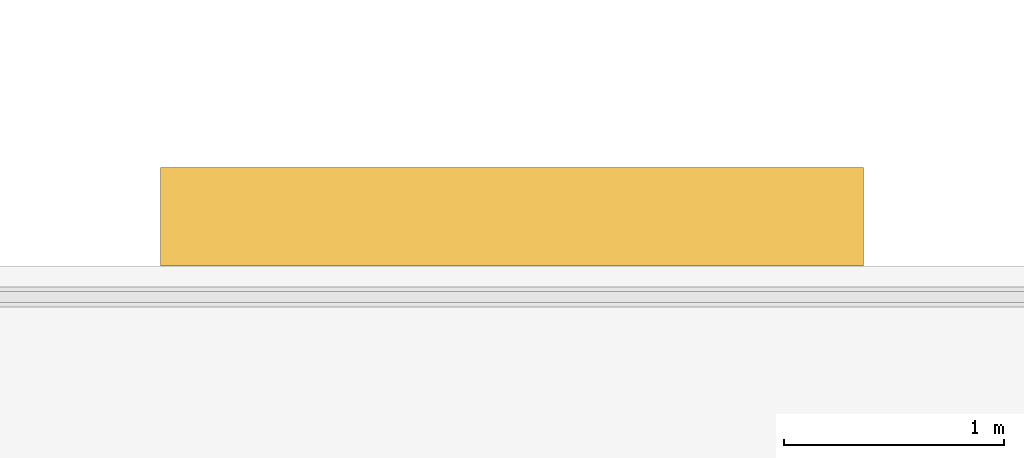
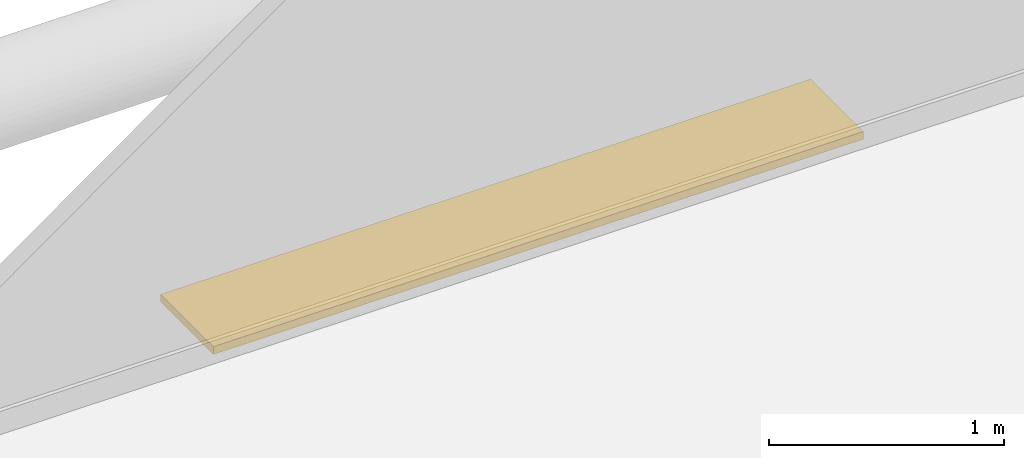
# One storey, part 30 of 30: 1 shading device.
"""IFC4 building model written with IfcOpenShell, lengths in metres."""

from ifc_helpers import new_model, si_unit, direction, frame, origin, origin_2d, place, context, subcontext, project, spatial, rectangle, extrude, material, layer, layer_set, type_object, element, save


model = new_model("IFC4")

# Units and contexts
model_context = context("Model", 3, precision=1e-05, world=origin(), true_north=direction((0.0, 1.0)))
body_context = subcontext(model_context, "Body", "Model", "MODEL_VIEW")
ifc_project = project(units=[si_unit("LENGTHUNIT", "METRE"), si_unit("AREAUNIT", "SQUARE_METRE"), si_unit("VOLUMEUNIT", "CUBIC_METRE"), si_unit("PLANEANGLEUNIT", "RADIAN"), si_unit("MASSUNIT", "GRAM", prefix="KILO")], contexts=[model_context])

# Site, building, storey
site_placement = place(None, origin())
site = spatial("IfcSite", under=ifc_project, at=site_placement, CompositionType="ELEMENT")
building_placement = place(site_placement, origin())
building = spatial("IfcBuilding", under=site, at=building_placement, Name="Zuhravey Tower", CompositionType="ELEMENT")
storey_placement = place(building_placement, frame((0.0, 0.0, 58.199951171875)))
storey = spatial("IfcBuildingStorey", under=building, at=storey_placement, Name="L14", CompositionType="ELEMENT", Elevation=58.199951171875)

# Shading device
ifc_material = material(Name="Bronze-anodised extruded aluminium", Category="aluminium")
ifc_layer = layer(ifc_material, 0.0400390625)
ifc_layer_set = layer_set([ifc_layer], Name="Bronze-anodised extruded aluminium")
shading_device_type = type_object("IfcShadingDeviceType", Name="Horizontal Sunshade Fin", PredefinedType="JALOUSIE", material=ifc_layer_set)
shading_device_placement = place(storey_placement, frame((36.0, 61.323486328125, -0.099853515625), z_axis=(0.0, 0.0, 1.0), x_axis=(1.0, 0.0, 0.0)))
element("IfcShadingDevice", 1, at=shading_device_placement, inside=storey, type_object=shading_device_type, Name="L14 Face 2 Horizontal Sunshade Fin SUN1", PredefinedType="JALOUSIE", context=body_context, shape_type="SweptSolid", body=[
    extrude(rectangle(XDim=3.199951171875, YDim=0.449951171875, at=origin_2d()), origin(), (0.0, 0.0, 1.0), 0.0400390625),
])

save(model, "model.ifc")
